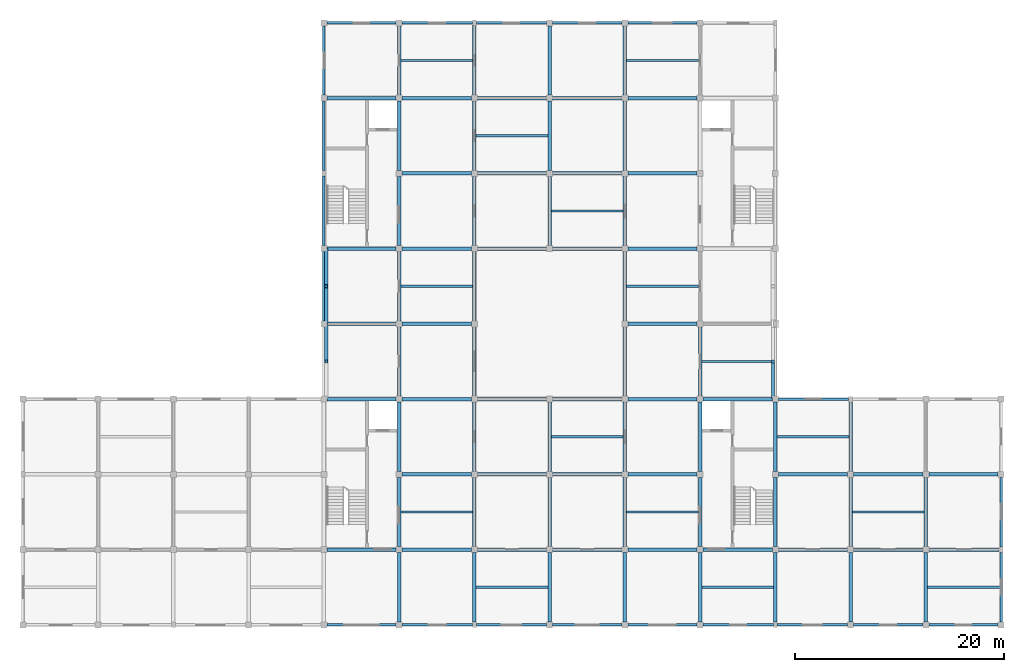
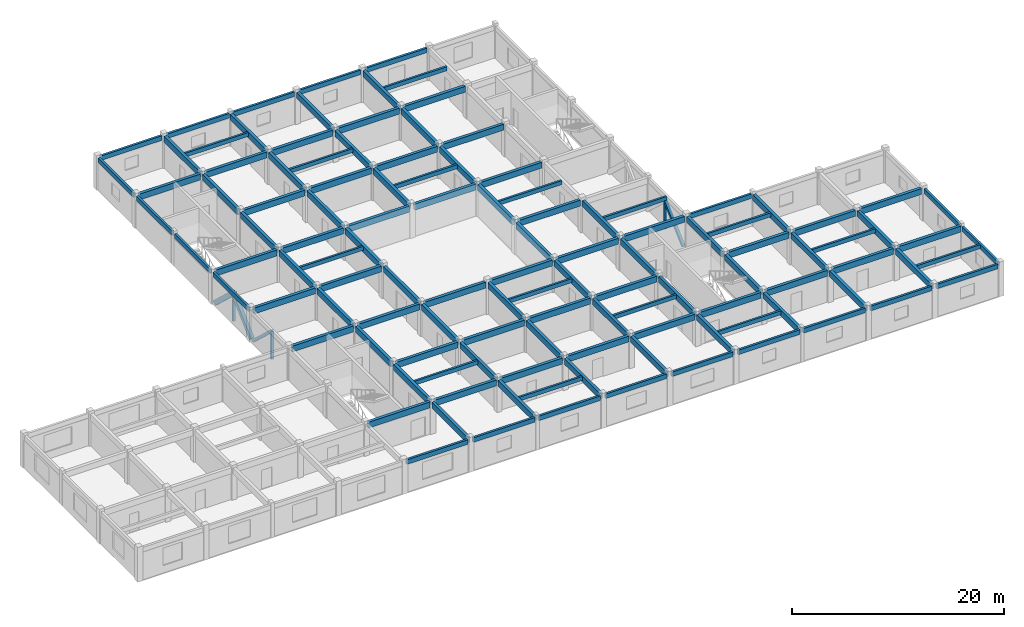
# One storey, part 2 of 10: 117 beams, 7 members.
"""IFC4 building model written with IfcOpenShell, lengths in metres."""

from ifc_helpers import new_model, si_unit, direction, frame, origin, origin_2d, place, context, subcontext, project, spatial, rectangle, extrude, material, material_profile, profile_set, type_object, element, save


model = new_model("IFC4")

# Units and contexts
model_context = context("Model", 3, precision=1e-05, world=origin(), true_north=direction((0.0, 1.0)))
body_context = subcontext(model_context, "Body", "Model", "MODEL_VIEW")
ifc_project = project(units=[si_unit("LENGTHUNIT", "METRE"), si_unit("AREAUNIT", "SQUARE_METRE"), si_unit("VOLUMEUNIT", "CUBIC_METRE"), si_unit("PLANEANGLEUNIT", "RADIAN"), si_unit("MASSUNIT", "GRAM", prefix="KILO")], contexts=[model_context])

# Site, building, storey
site_placement = place(None, origin())
site = spatial("IfcSite", under=ifc_project, at=site_placement, CompositionType="ELEMENT")
building_placement = place(site_placement, origin())
building = spatial("IfcBuilding", under=site, at=building_placement, Name="Cendaluz Park School", CompositionType="ELEMENT")
storey_placement = place(building_placement, frame((0.0, 0.0, 38.800048828125)))
storey = spatial("IfcBuildingStorey", under=building, at=storey_placement, Name="L09", CompositionType="ELEMENT", Elevation=38.800048828125)

# Beams
ifc_material_1 = material(Name="Glulam GL28h", Category="wood")
ifc_material_profile_1 = material_profile(ifc_material_1, rectangle(XDim=0.320068359375, YDim=0.679931640625, at=origin_2d()), Name="GL28h 320x680", Category="wood")
ifc_profile_set_1 = profile_set([ifc_material_profile_1], Name="Glulam GL28h")
beam_type_1 = type_object("IfcBeamType", Name="BM-GL01", PredefinedType="BEAM", material=ifc_profile_set_1)
for number, where, z_axis, x_axis, name in (
    (1, (65.080078125, 14.39990234375, 3.349853515625), (1.0, 0.0, 0.0), (0.0, 1.0, 0.0), "BM-L09-BMGL01-0018"),
    (2, (65.080078125, 28.800048828125, 3.349853515625), (1.0, 0.0, 0.0), (0.0, 1.0, 0.0), "BM-L09-BMGL01-0019"),
    (3, (65.080078125, 36.0, 3.349853515625), (1.0, 0.0, 0.0), (0.0, 1.0, 0.0), "BM-L09-BMGL01-0020"),
    (4, (65.080078125, 43.199951171875, 3.349853515625), (1.0, 0.0, 0.0), (0.0, 1.0, 0.0), "BM-L09-BMGL01-0021"),
    (5, (65.080078125, 57.60009765625, 3.349853515625), (1.0, 0.0, 0.0), (0.0, 1.0, 0.0), "BM-L09-BMGL01-0022"),
    (6, (72.280029296875, 14.39990234375, 3.349853515625), (1.0, 0.0, 0.0), (0.0, 1.0, 0.0), "BM-L09-BMGL01-0025"),
    (7, (72.280029296875, 21.60009765625, 3.349853515625), (1.0, 0.0, 0.0), (0.0, 1.0, 0.0), "BM-L09-BMGL01-0026"),
    (8, (72.280029296875, 28.800048828125, 3.349853515625), (1.0, 0.0, 0.0), (0.0, 1.0, 0.0), "BM-L09-BMGL01-0027"),
    (9, (72.280029296875, 36.0, 3.349853515625), (1.0, 0.0, 0.0), (0.0, 1.0, 0.0), "BM-L09-BMGL01-0028"),
    (10, (72.280029296875, 43.199951171875, 3.349853515625), (1.0, 0.0, 0.0), (0.0, 1.0, 0.0), "BM-L09-BMGL01-0029"),
    (11, (72.280029296875, 50.39990234375, 3.349853515625), (1.0, 0.0, 0.0), (0.0, 1.0, 0.0), "BM-L09-BMGL01-0030"),
    (12, (72.280029296875, 57.60009765625, 3.349853515625), (1.0, 0.0, 0.0), (0.0, 1.0, 0.0), "BM-L09-BMGL01-0031"),
):
    element("IfcBeam", number, at=place(storey_placement, frame(where, z_axis=z_axis, x_axis=x_axis)), inside=storey, type_object=beam_type_1, Name=name, PredefinedType="BEAM", context=body_context, shape_type="SweptSolid", body=[
        extrude(rectangle(XDim=0.320068359375, YDim=0.679931640625, at=origin_2d()), origin(), (0.0, 0.0, 1.0), 6.639892578125),
    ])
for number, where, z_axis, x_axis, name in (
    (13, (79.47998046875, 14.39990234375, 3.349853515625), (1.0, 0.0, 0.0), (0.0, 1.0, 0.0), "BM-L09-BMGL01-0034"),
    (14, (79.47998046875, 21.60009765625, 3.349853515625), (1.0, 0.0, 0.0), (0.0, 1.0, 0.0), "BM-L09-BMGL01-0035"),
    (15, (79.47998046875, 28.800048828125, 3.349853515625), (1.0, 0.0, 0.0), (0.0, 1.0, 0.0), "BM-L09-BMGL01-0036"),
    (16, (79.47998046875, 43.199951171875, 3.349853515625), (1.0, 0.0, 0.0), (0.0, 1.0, 0.0), "BM-L09-BMGL01-0037"),
    (17, (79.47998046875, 50.39990234375, 3.349853515625), (1.0, 0.0, 0.0), (0.0, 1.0, 0.0), "BM-L09-BMGL01-0038"),
    (18, (79.47998046875, 57.60009765625, 3.349853515625), (1.0, 0.0, 0.0), (0.0, 1.0, 0.0), "BM-L09-BMGL01-0039"),
    (19, (86.679931640625, 14.39990234375, 3.349853515625), (1.0, 0.0, 0.0), (0.0, 1.0, 0.0), "BM-L09-BMGL01-0042"),
    (20, (86.679931640625, 21.60009765625, 3.349853515625), (1.0, 0.0, 0.0), (0.0, 1.0, 0.0), "BM-L09-BMGL01-0043"),
    (21, (86.679931640625, 28.800048828125, 3.349853515625), (1.0, 0.0, 0.0), (0.0, 1.0, 0.0), "BM-L09-BMGL01-0044"),
    (22, (86.679931640625, 43.199951171875, 3.349853515625), (1.0, 0.0, 0.0), (0.0, 1.0, 0.0), "BM-L09-BMGL01-0045"),
    (23, (86.679931640625, 50.39990234375, 3.349853515625), (1.0, 0.0, 0.0), (0.0, 1.0, 0.0), "BM-L09-BMGL01-0046"),
    (24, (86.679931640625, 57.60009765625, 3.349853515625), (1.0, 0.0, 0.0), (0.0, 1.0, 0.0), "BM-L09-BMGL01-0047"),
    (25, (93.8798828125, 14.39990234375, 3.349853515625), (1.0, 0.0, 0.0), (0.0, 1.0, 0.0), "BM-L09-BMGL01-0050"),
    (26, (93.8798828125, 21.60009765625, 3.349853515625), (1.0, 0.0, 0.0), (0.0, 1.0, 0.0), "BM-L09-BMGL01-0051"),
    (27, (93.8798828125, 28.800048828125, 3.349853515625), (1.0, 0.0, 0.0), (0.0, 1.0, 0.0), "BM-L09-BMGL01-0052"),
    (28, (93.8798828125, 36.0, 3.349853515625), (1.0, 0.0, 0.0), (0.0, 1.0, 0.0), "BM-L09-BMGL01-0053"),
    (29, (93.8798828125, 43.199951171875, 3.349853515625), (1.0, 0.0, 0.0), (0.0, 1.0, 0.0), "BM-L09-BMGL01-0054"),
    (30, (93.8798828125, 50.39990234375, 3.349853515625), (1.0, 0.0, 0.0), (0.0, 1.0, 0.0), "BM-L09-BMGL01-0055"),
    (31, (93.8798828125, 57.60009765625, 3.349853515625), (1.0, 0.0, 0.0), (0.0, 1.0, 0.0), "BM-L09-BMGL01-0056"),
):
    element("IfcBeam", number, at=place(storey_placement, frame(where, z_axis=z_axis, x_axis=x_axis)), inside=storey, type_object=beam_type_1, Name=name, PredefinedType="BEAM", context=body_context, shape_type="SweptSolid", body=[
        extrude(rectangle(XDim=0.320068359375, YDim=0.679931640625, at=origin_2d()), origin(), (0.0, 0.0, 1.0), 6.64013671875),
    ])
for number, where, z_axis, x_axis, name in (
    (32, (101.080078125, 14.39990234375, 3.349853515625), (1.0, 0.0, 0.0), (0.0, 1.0, 0.0), "BM-L09-BMGL01-0059"),
    (33, (101.080078125, 28.800048828125, 3.349853515625), (1.0, 0.0, 0.0), (0.0, 1.0, 0.0), "BM-L09-BMGL01-0060"),
    (34, (108.280029296875, 14.39990234375, 3.349853515625), (1.0, 0.0, 0.0), (0.0, 1.0, 0.0), "BM-L09-BMGL01-0066"),
    (35, (108.280029296875, 21.60009765625, 3.349853515625), (1.0, 0.0, 0.0), (0.0, 1.0, 0.0), "BM-L09-BMGL01-0067"),
):
    element("IfcBeam", number, at=place(storey_placement, frame(where, z_axis=z_axis, x_axis=x_axis)), inside=storey, type_object=beam_type_1, Name=name, PredefinedType="BEAM", context=body_context, shape_type="SweptSolid", body=[
        extrude(rectangle(XDim=0.320068359375, YDim=0.679931640625, at=origin_2d()), origin(), (0.0, 0.0, 1.0), 6.639892578125),
    ])
for number, where, z_axis, x_axis, name in (
    (36, (115.47998046875, 14.39990234375, 3.349853515625), (1.0, 0.0, 0.0), (0.0, 1.0, 0.0), "BM-L09-BMGL01-0070"),
    (37, (115.47998046875, 21.60009765625, 3.349853515625), (1.0, 0.0, 0.0), (0.0, 1.0, 0.0), "BM-L09-BMGL01-0071"),
):
    element("IfcBeam", number, at=place(storey_placement, frame(where, z_axis=z_axis, x_axis=x_axis)), inside=storey, type_object=beam_type_1, Name=name, PredefinedType="BEAM", context=body_context, shape_type="SweptSolid", body=[
        extrude(rectangle(XDim=0.320068359375, YDim=0.679931640625, at=origin_2d()), origin(), (0.0, 0.0, 1.0), 6.64013671875),
    ])
beam_1_placement = place(storey_placement, frame((122.679931640625, 14.39990234375, 3.349853515625), z_axis=(1.0, 0.0, 0.0), x_axis=(0.0, 1.0, 0.0)))
element("IfcBeam", 38, at=beam_1_placement, inside=storey, type_object=beam_type_1, Name="BM-L09-BMGL01-0074", PredefinedType="BEAM", context=body_context, shape_type="SweptSolid", body=[
    extrude(rectangle(XDim=0.320068359375, YDim=0.679931640625, at=origin_2d()), origin(), (0.0, 0.0, 1.0), 6.739990234375),
])
for number, where, z_axis, x_axis, name in (
    (39, (122.679931640625, 21.60009765625, 3.349853515625), (1.0, 0.0, 0.0), (0.0, 1.0, 0.0), "BM-L09-BMGL01-0075"),
    (40, (72.0, 7.47998046875, 3.349853515625), (0.0, 1.0, 0.0), (-1.0, 0.0, 0.0), "BM-L09-BMGL01-0097"),
    (41, (72.0, 14.679931640625, 3.349853515625), (0.0, 1.0, 0.0), (-1.0, 0.0, 0.0), "BM-L09-BMGL01-0098"),
    (42, (72.0, 21.8798828125, 3.349853515625), (0.0, 1.0, 0.0), (-1.0, 0.0, 0.0), "BM-L09-BMGL01-0099"),
):
    element("IfcBeam", number, at=place(storey_placement, frame(where, z_axis=z_axis, x_axis=x_axis)), inside=storey, type_object=beam_type_1, Name=name, PredefinedType="BEAM", context=body_context, shape_type="SweptSolid", body=[
        extrude(rectangle(XDim=0.320068359375, YDim=0.679931640625, at=origin_2d()), origin(), (0.0, 0.0, 1.0), 6.64013671875),
    ])
for number, where, z_axis, x_axis, name in (
    (43, (72.0, 29.080078125, 3.349853515625), (0.0, 1.0, 0.0), (-1.0, 0.0, 0.0), "BM-L09-BMGL01-0100"),
    (44, (72.0, 36.280029296875, 3.349853515625), (0.0, 1.0, 0.0), (-1.0, 0.0, 0.0), "BM-L09-BMGL01-0101"),
):
    element("IfcBeam", number, at=place(storey_placement, frame(where, z_axis=z_axis, x_axis=x_axis)), inside=storey, type_object=beam_type_1, Name=name, PredefinedType="BEAM", context=body_context, shape_type="SweptSolid", body=[
        extrude(rectangle(XDim=0.320068359375, YDim=0.679931640625, at=origin_2d()), origin(), (0.0, 0.0, 1.0), 6.639892578125),
    ])
for number, where, z_axis, x_axis, name in (
    (45, (72.0, 43.47998046875, 3.349853515625), (0.0, 1.0, 0.0), (-1.0, 0.0, 0.0), "BM-L09-BMGL01-0102"),
    (46, (72.0, 50.679931640625, 3.349853515625), (0.0, 1.0, 0.0), (-1.0, 0.0, 0.0), "BM-L09-BMGL01-0103"),
    (47, (72.0, 57.8798828125, 3.349853515625), (0.0, 1.0, 0.0), (-1.0, 0.0, 0.0), "BM-L09-BMGL01-0104"),
):
    element("IfcBeam", number, at=place(storey_placement, frame(where, z_axis=z_axis, x_axis=x_axis)), inside=storey, type_object=beam_type_1, Name=name, PredefinedType="BEAM", context=body_context, shape_type="SweptSolid", body=[
        extrude(rectangle(XDim=0.320068359375, YDim=0.679931640625, at=origin_2d()), origin(), (0.0, 0.0, 1.0), 6.64013671875),
    ])
beam_2_placement = place(storey_placement, frame((79.199951171875, 7.4599609375, 3.349853515625), z_axis=(0.0, 1.0, 0.0), x_axis=(-1.0, 0.0, 0.0)))
element("IfcBeam", 48, at=beam_2_placement, inside=storey, type_object=beam_type_1, Name="BM-L09-BMGL01-0105", PredefinedType="BEAM", context=body_context, shape_type="SweptSolid", body=[
    extrude(rectangle(XDim=0.320068359375, YDim=0.679931640625, at=origin_2d()), origin(), (0.0, 0.0, 1.0), 6.66015625),
])
for number, where, z_axis, x_axis, name in (
    (49, (79.199951171875, 14.679931640625, 3.349853515625), (0.0, 1.0, 0.0), (-1.0, 0.0, 0.0), "BM-L09-BMGL01-0106"),
    (50, (79.199951171875, 21.8798828125, 3.349853515625), (0.0, 1.0, 0.0), (-1.0, 0.0, 0.0), "BM-L09-BMGL01-0107"),
):
    element("IfcBeam", number, at=place(storey_placement, frame(where, z_axis=z_axis, x_axis=x_axis)), inside=storey, type_object=beam_type_1, Name=name, PredefinedType="BEAM", context=body_context, shape_type="SweptSolid", body=[
        extrude(rectangle(XDim=0.320068359375, YDim=0.679931640625, at=origin_2d()), origin(), (0.0, 0.0, 1.0), 6.64013671875),
    ])
for number, where, z_axis, x_axis, name in (
    (51, (79.199951171875, 29.080078125, 3.349853515625), (0.0, 1.0, 0.0), (-1.0, 0.0, 0.0), "BM-L09-BMGL01-0108"),
    (52, (79.199951171875, 36.280029296875, 3.349853515625), (0.0, 1.0, 0.0), (-1.0, 0.0, 0.0), "BM-L09-BMGL01-0109"),
):
    element("IfcBeam", number, at=place(storey_placement, frame(where, z_axis=z_axis, x_axis=x_axis)), inside=storey, type_object=beam_type_1, Name=name, PredefinedType="BEAM", context=body_context, shape_type="SweptSolid", body=[
        extrude(rectangle(XDim=0.320068359375, YDim=0.679931640625, at=origin_2d()), origin(), (0.0, 0.0, 1.0), 6.639892578125),
    ])
for number, where, z_axis, x_axis, name in (
    (53, (79.199951171875, 43.47998046875, 3.349853515625), (0.0, 1.0, 0.0), (-1.0, 0.0, 0.0), "BM-L09-BMGL01-0110"),
    (54, (79.199951171875, 50.679931640625, 3.349853515625), (0.0, 1.0, 0.0), (-1.0, 0.0, 0.0), "BM-L09-BMGL01-0111"),
):
    element("IfcBeam", number, at=place(storey_placement, frame(where, z_axis=z_axis, x_axis=x_axis)), inside=storey, type_object=beam_type_1, Name=name, PredefinedType="BEAM", context=body_context, shape_type="SweptSolid", body=[
        extrude(rectangle(XDim=0.320068359375, YDim=0.679931640625, at=origin_2d()), origin(), (0.0, 0.0, 1.0), 6.64013671875),
    ])
beam_3_placement = place(storey_placement, frame((79.199951171875, 57.8798828125, 3.349853515625), z_axis=(0.0, 1.0, 0.0), x_axis=(-1.0, 0.0, 0.0)))
element("IfcBeam", 55, at=beam_3_placement, inside=storey, type_object=beam_type_1, Name="BM-L09-BMGL01-0112", PredefinedType="BEAM", context=body_context, shape_type="SweptSolid", body=[
    extrude(rectangle(XDim=0.320068359375, YDim=0.679931640625, at=origin_2d()), origin(), (0.0, 0.0, 1.0), 6.66015625),
])
for number, where, z_axis, x_axis, name in (
    (56, (86.39990234375, 7.47998046875, 3.349853515625), (0.0, 1.0, 0.0), (-1.0, 0.0, 0.0), "BM-L09-BMGL01-0113"),
    (57, (86.39990234375, 14.679931640625, 3.349853515625), (0.0, 1.0, 0.0), (-1.0, 0.0, 0.0), "BM-L09-BMGL01-0114"),
    (58, (86.39990234375, 21.8798828125, 3.349853515625), (0.0, 1.0, 0.0), (-1.0, 0.0, 0.0), "BM-L09-BMGL01-0115"),
    (59, (86.39990234375, 43.47998046875, 3.349853515625), (0.0, 1.0, 0.0), (-1.0, 0.0, 0.0), "BM-L09-BMGL01-0116"),
    (60, (86.39990234375, 50.679931640625, 3.349853515625), (0.0, 1.0, 0.0), (-1.0, 0.0, 0.0), "BM-L09-BMGL01-0117"),
    (61, (86.39990234375, 57.8798828125, 3.349853515625), (0.0, 1.0, 0.0), (-1.0, 0.0, 0.0), "BM-L09-BMGL01-0118"),
    (62, (93.60009765625, 7.47998046875, 3.349853515625), (0.0, 1.0, 0.0), (-1.0, 0.0, 0.0), "BM-L09-BMGL01-0119"),
    (63, (93.60009765625, 14.679931640625, 3.349853515625), (0.0, 1.0, 0.0), (-1.0, 0.0, 0.0), "BM-L09-BMGL01-0120"),
    (64, (93.60009765625, 21.8798828125, 3.349853515625), (0.0, 1.0, 0.0), (-1.0, 0.0, 0.0), "BM-L09-BMGL01-0121"),
):
    element("IfcBeam", number, at=place(storey_placement, frame(where, z_axis=z_axis, x_axis=x_axis)), inside=storey, type_object=beam_type_1, Name=name, PredefinedType="BEAM", context=body_context, shape_type="SweptSolid", body=[
        extrude(rectangle(XDim=0.320068359375, YDim=0.679931640625, at=origin_2d()), origin(), (0.0, 0.0, 1.0), 6.64013671875),
    ])
for number, where, z_axis, x_axis, name in (
    (65, (93.60009765625, 29.080078125, 3.349853515625), (0.0, 1.0, 0.0), (-1.0, 0.0, 0.0), "BM-L09-BMGL01-0122"),
    (66, (93.60009765625, 36.280029296875, 3.349853515625), (0.0, 1.0, 0.0), (-1.0, 0.0, 0.0), "BM-L09-BMGL01-0123"),
):
    element("IfcBeam", number, at=place(storey_placement, frame(where, z_axis=z_axis, x_axis=x_axis)), inside=storey, type_object=beam_type_1, Name=name, PredefinedType="BEAM", context=body_context, shape_type="SweptSolid", body=[
        extrude(rectangle(XDim=0.320068359375, YDim=0.679931640625, at=origin_2d()), origin(), (0.0, 0.0, 1.0), 6.639892578125),
    ])
for number, where, z_axis, x_axis, name in (
    (67, (93.60009765625, 43.47998046875, 3.349853515625), (0.0, 1.0, 0.0), (-1.0, 0.0, 0.0), "BM-L09-BMGL01-0124"),
    (68, (93.60009765625, 50.679931640625, 3.349853515625), (0.0, 1.0, 0.0), (-1.0, 0.0, 0.0), "BM-L09-BMGL01-0125"),
    (69, (93.60009765625, 57.8798828125, 3.349853515625), (0.0, 1.0, 0.0), (-1.0, 0.0, 0.0), "BM-L09-BMGL01-0126"),
    (70, (100.800048828125, 7.47998046875, 3.349853515625), (0.0, 1.0, 0.0), (-1.0, 0.0, 0.0), "BM-L09-BMGL01-0127"),
    (71, (100.800048828125, 14.679931640625, 3.349853515625), (0.0, 1.0, 0.0), (-1.0, 0.0, 0.0), "BM-L09-BMGL01-0128"),
    (72, (100.800048828125, 21.8798828125, 3.349853515625), (0.0, 1.0, 0.0), (-1.0, 0.0, 0.0), "BM-L09-BMGL01-0129"),
):
    element("IfcBeam", number, at=place(storey_placement, frame(where, z_axis=z_axis, x_axis=x_axis)), inside=storey, type_object=beam_type_1, Name=name, PredefinedType="BEAM", context=body_context, shape_type="SweptSolid", body=[
        extrude(rectangle(XDim=0.320068359375, YDim=0.679931640625, at=origin_2d()), origin(), (0.0, 0.0, 1.0), 6.64013671875),
    ])
beam_4_placement = place(storey_placement, frame((100.800048828125, 29.080078125, 3.349853515625), z_axis=(0.0, 1.0, 0.0), x_axis=(-1.0, 0.0, 0.0)))
element("IfcBeam", 73, at=beam_4_placement, inside=storey, type_object=beam_type_1, Name="BM-L09-BMGL01-0130", PredefinedType="BEAM", context=body_context, shape_type="SweptSolid", body=[
    extrude(rectangle(XDim=0.320068359375, YDim=0.679931640625, at=origin_2d()), origin(), (0.0, 0.0, 1.0), 6.639892578125),
])
beam_5_placement = place(storey_placement, frame((108.0, 7.4599609375, 3.349853515625), z_axis=(0.0, 1.0, 0.0), x_axis=(-1.0, 0.0, 0.0)))
element("IfcBeam", 74, at=beam_5_placement, inside=storey, type_object=beam_type_1, Name="BM-L09-BMGL01-0135", PredefinedType="BEAM", context=body_context, shape_type="SweptSolid", body=[
    extrude(rectangle(XDim=0.320068359375, YDim=0.679931640625, at=origin_2d()), origin(), (0.0, 0.0, 1.0), 6.66015625),
])
for number, where, z_axis, x_axis, name in (
    (75, (108.0, 14.679931640625, 3.349853515625), (0.0, 1.0, 0.0), (-1.0, 0.0, 0.0), "BM-L09-BMGL01-0136"),
    (76, (108.0, 21.8798828125, 3.349853515625), (0.0, 1.0, 0.0), (-1.0, 0.0, 0.0), "BM-L09-BMGL01-0137"),
    (77, (115.199951171875, 7.47998046875, 3.349853515625), (0.0, 1.0, 0.0), (-1.0, 0.0, 0.0), "BM-L09-BMGL01-0143"),
    (78, (115.199951171875, 14.679931640625, 3.349853515625), (0.0, 1.0, 0.0), (-1.0, 0.0, 0.0), "BM-L09-BMGL01-0144"),
):
    element("IfcBeam", number, at=place(storey_placement, frame(where, z_axis=z_axis, x_axis=x_axis)), inside=storey, type_object=beam_type_1, Name=name, PredefinedType="BEAM", context=body_context, shape_type="SweptSolid", body=[
        extrude(rectangle(XDim=0.320068359375, YDim=0.679931640625, at=origin_2d()), origin(), (0.0, 0.0, 1.0), 6.64013671875),
    ])
beam_6_placement = place(storey_placement, frame((115.199951171875, 21.8798828125, 3.349853515625), z_axis=(0.0, 1.0, 0.0), x_axis=(-1.0, 0.0, 0.0)))
element("IfcBeam", 79, at=beam_6_placement, inside=storey, type_object=beam_type_1, Name="BM-L09-BMGL01-0145", PredefinedType="BEAM", context=body_context, shape_type="SweptSolid", body=[
    extrude(rectangle(XDim=0.320068359375, YDim=0.679931640625, at=origin_2d()), origin(), (0.0, 0.0, 1.0), 6.66015625),
])
for number, where, z_axis, x_axis, name in (
    (80, (122.39990234375, 7.47998046875, 3.349853515625), (0.0, 1.0, 0.0), (-1.0, 0.0, 0.0), "BM-L09-BMGL01-0146"),
    (81, (122.39990234375, 14.679931640625, 3.349853515625), (0.0, 1.0, 0.0), (-1.0, 0.0, 0.0), "BM-L09-BMGL01-0147"),
):
    element("IfcBeam", number, at=place(storey_placement, frame(where, z_axis=z_axis, x_axis=x_axis)), inside=storey, type_object=beam_type_1, Name=name, PredefinedType="BEAM", context=body_context, shape_type="SweptSolid", body=[
        extrude(rectangle(XDim=0.320068359375, YDim=0.679931640625, at=origin_2d()), origin(), (0.0, 0.0, 1.0), 6.64013671875),
    ])
ifc_material_profile_2 = material_profile(ifc_material_1, rectangle(XDim=0.239990234375, YDim=0.52001953125, at=origin_2d()), Name="GL28h 240x520", Category="wood")
ifc_profile_set_2 = profile_set([ifc_material_profile_2], Name="Glulam GL28h")
beam_type_2 = type_object("IfcBeamType", Name="BM-GL03", PredefinedType="SPANDREL", material=ifc_profile_set_2)
for number, where, z_axis, x_axis, name in (
    (82, (65.080078125, 7.199951171875, 3.429931640625), (1.0, 0.0, 0.0), (0.0, 1.0, 0.0), "BM-L09-BMGL03-0017"),
    (83, (65.080078125, 64.800048828125, 3.429931640625), (1.0, 0.0, 0.0), (0.0, 1.0, 0.0), "BM-L09-BMGL03-0023"),
):
    element("IfcBeam", number, at=place(storey_placement, frame(where, z_axis=z_axis, x_axis=x_axis)), inside=storey, type_object=beam_type_2, Name=name, PredefinedType="SPANDREL", context=body_context, shape_type="SweptSolid", body=[
        extrude(rectangle(XDim=0.239990234375, YDim=0.52001953125, at=origin_2d()), origin(), (0.0, 0.0, 1.0), 6.639892578125),
    ])
for number, where, z_axis, x_axis, name in (
    (84, (72.280029296875, 7.199951171875, 3.429931640625), (1.0, 0.0, 0.0), (0.0, 1.0, 0.0), "BM-L09-BMGL03-0024"),
    (85, (72.280029296875, 64.800048828125, 3.429931640625), (1.0, 0.0, 0.0), (0.0, 1.0, 0.0), "BM-L09-BMGL03-0032"),
):
    element("IfcBeam", number, at=place(storey_placement, frame(where, z_axis=z_axis, x_axis=x_axis)), inside=storey, type_object=beam_type_2, Name=name, PredefinedType="SPANDREL", context=body_context, shape_type="SweptSolid", body=[
        extrude(rectangle(XDim=0.239990234375, YDim=0.52001953125, at=origin_2d()), origin(), (0.0, 0.0, 1.0), 6.739990234375),
    ])
for number, where, z_axis, x_axis, name in (
    (86, (79.3798828125, 7.199951171875, 3.429931640625), (1.0, 0.0, 0.0), (0.0, 1.0, 0.0), "BM-L09-BMGL03-0033"),
    (87, (79.3798828125, 64.800048828125, 3.429931640625), (1.0, 0.0, 0.0), (0.0, 1.0, 0.0), "BM-L09-BMGL03-0040"),
):
    element("IfcBeam", number, at=place(storey_placement, frame(where, z_axis=z_axis, x_axis=x_axis)), inside=storey, type_object=beam_type_2, Name=name, PredefinedType="SPANDREL", context=body_context, shape_type="SweptSolid", body=[
        extrude(rectangle(XDim=0.239990234375, YDim=0.52001953125, at=origin_2d()), origin(), (0.0, 0.0, 1.0), 6.740234375),
    ])
for number, where, z_axis, x_axis, name in (
    (88, (86.679931640625, 7.199951171875, 3.429931640625), (1.0, 0.0, 0.0), (0.0, 1.0, 0.0), "BM-L09-BMGL03-0041"),
    (89, (86.679931640625, 64.800048828125, 3.429931640625), (1.0, 0.0, 0.0), (0.0, 1.0, 0.0), "BM-L09-BMGL03-0048"),
    (90, (93.8798828125, 7.199951171875, 3.429931640625), (1.0, 0.0, 0.0), (0.0, 1.0, 0.0), "BM-L09-BMGL03-0049"),
    (91, (93.8798828125, 64.800048828125, 3.429931640625), (1.0, 0.0, 0.0), (0.0, 1.0, 0.0), "BM-L09-BMGL03-0057"),
):
    element("IfcBeam", number, at=place(storey_placement, frame(where, z_axis=z_axis, x_axis=x_axis)), inside=storey, type_object=beam_type_2, Name=name, PredefinedType="SPANDREL", context=body_context, shape_type="SweptSolid", body=[
        extrude(rectangle(XDim=0.239990234375, YDim=0.52001953125, at=origin_2d()), origin(), (0.0, 0.0, 1.0), 6.64013671875),
    ])
for number, where, z_axis, x_axis, name in (
    (92, (101.080078125, 7.199951171875, 3.429931640625), (1.0, 0.0, 0.0), (0.0, 1.0, 0.0), "BM-L09-BMGL03-0058"),
    (93, (108.179931640625, 7.199951171875, 3.429931640625), (1.0, 0.0, 0.0), (0.0, 1.0, 0.0), "BM-L09-BMGL03-0065"),
    (94, (108.280029296875, 28.800048828125, 3.429931640625), (1.0, 0.0, 0.0), (0.0, 1.0, 0.0), "BM-L09-BMGL03-0068"),
):
    element("IfcBeam", number, at=place(storey_placement, frame(where, z_axis=z_axis, x_axis=x_axis)), inside=storey, type_object=beam_type_2, Name=name, PredefinedType="SPANDREL", context=body_context, shape_type="SweptSolid", body=[
        extrude(rectangle(XDim=0.239990234375, YDim=0.52001953125, at=origin_2d()), origin(), (0.0, 0.0, 1.0), 6.739990234375),
    ])
for number, where, z_axis, x_axis, name in (
    (95, (115.47998046875, 7.199951171875, 3.429931640625), (1.0, 0.0, 0.0), (0.0, 1.0, 0.0), "BM-L09-BMGL03-0069"),
    (96, (122.679931640625, 7.199951171875, 3.429931640625), (1.0, 0.0, 0.0), (0.0, 1.0, 0.0), "BM-L09-BMGL03-0073"),
):
    element("IfcBeam", number, at=place(storey_placement, frame(where, z_axis=z_axis, x_axis=x_axis)), inside=storey, type_object=beam_type_2, Name=name, PredefinedType="SPANDREL", context=body_context, shape_type="SweptSolid", body=[
        extrude(rectangle(XDim=0.239990234375, YDim=0.52001953125, at=origin_2d()), origin(), (0.0, 0.0, 1.0), 6.64013671875),
    ])
beam_7_placement = place(storey_placement, frame((64.800048828125, 36.280029296875, 3.429931640625), z_axis=(0.0, 1.0, 0.0), x_axis=(-1.0, 0.0, 0.0)))
element("IfcBeam", 97, at=beam_7_placement, inside=storey, type_object=beam_type_2, Name="BM-L09-BMGL03-0093", PredefinedType="SPANDREL", context=body_context, shape_type="SweptSolid", body=[
    extrude(rectangle(XDim=0.239990234375, YDim=0.52001953125, at=origin_2d()), origin(), (0.0, 0.0, 1.0), 6.639892578125),
])
beam_8_placement = place(storey_placement, frame((64.800048828125, 43.47998046875, 3.429931640625), z_axis=(0.0, 1.0, 0.0), x_axis=(-1.0, 0.0, 0.0)))
element("IfcBeam", 98, at=beam_8_placement, inside=storey, type_object=beam_type_2, Name="BM-L09-BMGL03-0094", PredefinedType="SPANDREL", context=body_context, shape_type="SweptSolid", body=[
    extrude(rectangle(XDim=0.239990234375, YDim=0.52001953125, at=origin_2d()), origin(), (0.0, 0.0, 1.0), 6.659912109375),
])
beam_9_placement = place(storey_placement, frame((64.800048828125, 50.659912109375, 3.429931640625), z_axis=(0.0, 1.0, 0.0), x_axis=(-1.0, 0.0, 0.0)))
element("IfcBeam", 99, at=beam_9_placement, inside=storey, type_object=beam_type_2, Name="BM-L09-BMGL03-0095", PredefinedType="SPANDREL", context=body_context, shape_type="SweptSolid", body=[
    extrude(rectangle(XDim=0.239990234375, YDim=0.52001953125, at=origin_2d()), origin(), (0.0, 0.0, 1.0), 6.66015625),
])
beam_10_placement = place(storey_placement, frame((64.800048828125, 57.8798828125, 3.429931640625), z_axis=(0.0, 1.0, 0.0), x_axis=(-1.0, 0.0, 0.0)))
element("IfcBeam", 100, at=beam_10_placement, inside=storey, type_object=beam_type_2, Name="BM-L09-BMGL03-0096", PredefinedType="SPANDREL", context=body_context, shape_type="SweptSolid", body=[
    extrude(rectangle(XDim=0.239990234375, YDim=0.52001953125, at=origin_2d()), origin(), (0.0, 0.0, 1.0), 6.64013671875),
])
beam_11_placement = place(storey_placement, frame((129.60009765625, 7.47998046875, 3.429931640625), z_axis=(0.0, 1.0, 0.0), x_axis=(-1.0, 0.0, 0.0)))
element("IfcBeam", 101, at=beam_11_placement, inside=storey, type_object=beam_type_2, Name="BM-L09-BMGL03-0149", PredefinedType="SPANDREL", context=body_context, shape_type="SweptSolid", body=[
    extrude(rectangle(XDim=0.239990234375, YDim=0.52001953125, at=origin_2d()), origin(), (0.0, 0.0, 1.0), 6.659912109375),
])
beam_12_placement = place(storey_placement, frame((129.60009765625, 14.659912109375, 3.429931640625), z_axis=(0.0, 1.0, 0.0), x_axis=(-1.0, 0.0, 0.0)))
element("IfcBeam", 102, at=beam_12_placement, inside=storey, type_object=beam_type_2, Name="BM-L09-BMGL03-0150", PredefinedType="SPANDREL", context=body_context, shape_type="SweptSolid", body=[
    extrude(rectangle(XDim=0.239990234375, YDim=0.52001953125, at=origin_2d()), origin(), (0.0, 0.0, 1.0), 6.66015625),
])
ifc_material_profile_3 = material_profile(ifc_material_1, rectangle(XDim=0.219970703125, YDim=0.4599609375, at=origin_2d()), Name="GL28h 220x460", Category="wood")
ifc_profile_set_3 = profile_set([ifc_material_profile_3], Name="Glulam GL28h")
beam_type_3 = type_object("IfcBeamType", Name="JT-GL01", PredefinedType="JOIST", material=ifc_profile_set_3)
for number, where, z_axis, x_axis, name in (
    (103, (72.159912109375, 18.0, 3.4599609375), (1.0, 0.0, 0.0), (0.0, 1.0, 0.0), "BM-L09-JTGL01-0156"),
    (104, (72.159912109375, 39.60009765625, 3.4599609375), (1.0, 0.0, 0.0), (0.0, 1.0, 0.0), "BM-L09-JTGL01-0157"),
    (105, (72.159912109375, 61.199951171875, 3.4599609375), (1.0, 0.0, 0.0), (0.0, 1.0, 0.0), "BM-L09-JTGL01-0158"),
):
    element("IfcBeam", number, at=place(storey_placement, frame(where, z_axis=z_axis, x_axis=x_axis)), inside=storey, type_object=beam_type_3, Name=name, PredefinedType="JOIST", context=body_context, shape_type="SweptSolid", body=[
        extrude(rectangle(XDim=0.219970703125, YDim=0.4599609375, at=origin_2d()), origin(), (0.0, 0.0, 1.0), 6.880126953125),
    ])
for number, where, z_axis, x_axis, name in (
    (106, (79.360107421875, 10.800048828125, 3.4599609375), (1.0, 0.0, 0.0), (0.0, 1.0, 0.0), "BM-L09-JTGL01-0159"),
    (107, (79.360107421875, 54.0, 3.4599609375), (1.0, 0.0, 0.0), (0.0, 1.0, 0.0), "BM-L09-JTGL01-0160"),
    (108, (86.56005859375, 25.199951171875, 3.4599609375), (1.0, 0.0, 0.0), (0.0, 1.0, 0.0), "BM-L09-JTGL01-0161"),
    (109, (86.56005859375, 46.800048828125, 3.4599609375), (1.0, 0.0, 0.0), (0.0, 1.0, 0.0), "BM-L09-JTGL01-0162"),
    (110, (93.760009765625, 18.0, 3.4599609375), (1.0, 0.0, 0.0), (0.0, 1.0, 0.0), "BM-L09-JTGL01-0163"),
    (111, (93.760009765625, 39.60009765625, 3.4599609375), (1.0, 0.0, 0.0), (0.0, 1.0, 0.0), "BM-L09-JTGL01-0164"),
    (112, (93.760009765625, 61.199951171875, 3.4599609375), (1.0, 0.0, 0.0), (0.0, 1.0, 0.0), "BM-L09-JTGL01-0165"),
):
    element("IfcBeam", number, at=place(storey_placement, frame(where, z_axis=z_axis, x_axis=x_axis)), inside=storey, type_object=beam_type_3, Name=name, PredefinedType="JOIST", context=body_context, shape_type="SweptSolid", body=[
        extrude(rectangle(XDim=0.219970703125, YDim=0.4599609375, at=origin_2d()), origin(), (0.0, 0.0, 1.0), 6.8798828125),
    ])
beam_13_placement = place(storey_placement, frame((100.9599609375, 10.800048828125, 3.4599609375), z_axis=(1.0, 0.0, 0.0), x_axis=(0.0, 1.0, 0.0)))
element("IfcBeam", 113, at=beam_13_placement, inside=storey, type_object=beam_type_3, Name="BM-L09-JTGL01-0166", PredefinedType="JOIST", context=body_context, shape_type="SweptSolid", body=[
    extrude(rectangle(XDim=0.219970703125, YDim=0.4599609375, at=origin_2d()), origin(), (0.0, 0.0, 1.0), 6.880126953125),
])
beam_14_placement = place(storey_placement, frame((100.9599609375, 32.39990234375, 3.4599609375), z_axis=(1.0, 0.0, 0.0), x_axis=(0.0, 1.0, 0.0)))
element("IfcBeam", 114, at=beam_14_placement, inside=storey, type_object=beam_type_3, Name="BM-L09-JTGL01-0167", PredefinedType="JOIST", context=body_context, shape_type="SweptSolid", body=[
    extrude(rectangle(XDim=0.219970703125, YDim=0.4599609375, at=origin_2d()), origin(), (0.0, 0.0, 1.0), 6.919921875),
])
beam_15_placement = place(storey_placement, frame((108.159912109375, 25.199951171875, 3.4599609375), z_axis=(1.0, 0.0, 0.0), x_axis=(0.0, 1.0, 0.0)))
element("IfcBeam", 115, at=beam_15_placement, inside=storey, type_object=beam_type_3, Name="BM-L09-JTGL01-0168", PredefinedType="JOIST", context=body_context, shape_type="SweptSolid", body=[
    extrude(rectangle(XDim=0.219970703125, YDim=0.4599609375, at=origin_2d()), origin(), (0.0, 0.0, 1.0), 6.880126953125),
])
beam_16_placement = place(storey_placement, frame((115.360107421875, 18.0, 3.4599609375), z_axis=(1.0, 0.0, 0.0), x_axis=(0.0, 1.0, 0.0)))
element("IfcBeam", 116, at=beam_16_placement, inside=storey, type_object=beam_type_3, Name="BM-L09-JTGL01-0169", PredefinedType="JOIST", context=body_context, shape_type="SweptSolid", body=[
    extrude(rectangle(XDim=0.219970703125, YDim=0.4599609375, at=origin_2d()), origin(), (0.0, 0.0, 1.0), 6.8798828125),
])
beam_17_placement = place(storey_placement, frame((122.56005859375, 10.800048828125, 3.4599609375), z_axis=(1.0, 0.0, 0.0), x_axis=(0.0, 1.0, 0.0)))
element("IfcBeam", 117, at=beam_17_placement, inside=storey, type_object=beam_type_3, Name="BM-L09-JTGL01-0170", PredefinedType="JOIST", context=body_context, shape_type="SweptSolid", body=[
    extrude(rectangle(XDim=0.219970703125, YDim=0.4599609375, at=origin_2d()), origin(), (0.0, 0.0, 1.0), 6.919921875),
])

# Members
ifc_material_2 = material(Name="Glulam GL32h", Category="wood")
ifc_material_profile_4 = material_profile(ifc_material_2, rectangle(XDim=0.300048828125, YDim=0.300048828125, at=origin_2d()), Name="GL32h 300x300", Category="wood")
ifc_profile_set_4 = profile_set([ifc_material_profile_4], Name="Glulam GL32h")
member_type_1 = type_object("IfcMemberType", Name="MBR-03", PredefinedType="BRACE", material=ifc_profile_set_4)
member_1_placement = place(storey_placement, frame((65.02001953125, 35.820068359375, 0.0), z_axis=(0.0, -0.731291309336, 0.682065261459), x_axis=(1.0, 0.0, 0.0)))
element("IfcMember", 118, at=member_1_placement, inside=storey, type_object=member_type_1, Name="MB-L09-MBBR03-0002", PredefinedType="BRACE", context=body_context, shape_type="SweptSolid", body=[
    extrude(rectangle(XDim=0.300048828125, YDim=0.300048828125, at=origin_2d()), origin(), (0.0, 0.0, 1.0), 4.677001953125),
])
member_2_placement = place(storey_placement, frame((107.780029296875, 28.97998046875, 0.0), z_axis=(0.0, 0.731267023111, 0.682091299541), x_axis=(-1.0, 0.0, 0.0)))
element("IfcMember", 119, at=member_2_placement, inside=storey, type_object=member_type_1, Name="MB-L09-MBBR03-0004", PredefinedType="BRACE", context=body_context, shape_type="SweptSolid", body=[
    extrude(rectangle(XDim=0.300048828125, YDim=0.300048828125, at=origin_2d()), origin(), (0.0, 0.0, 1.0), 4.6767578125),
])
ifc_material_profile_5 = material_profile(ifc_material_2, rectangle(XDim=0.360107421875, YDim=0.52001953125, at=origin_2d()), Name="GL32h 360x520", Category="wood")
ifc_profile_set_5 = profile_set([ifc_material_profile_5], Name="Glulam GL32h")
member_type_2 = type_object("IfcMemberType", Name="MBR-04", PredefinedType="BRACE", material=ifc_profile_set_5)
member_3_placement = place(storey_placement, frame((65.02001953125, 36.179931640625, 0.0), z_axis=(0.0, 0.731291309336, 0.682065261459), x_axis=(-1.0, 0.0, 0.0)))
element("IfcMember", 120, at=member_3_placement, inside=storey, type_object=member_type_2, Name="MB-L09-MBBR04-0007", PredefinedType="BRACE", context=body_context, shape_type="SweptSolid", body=[
    extrude(rectangle(XDim=0.360107421875, YDim=0.52001953125, at=origin_2d()), origin(), (0.0, 0.0, 1.0), 4.677001953125),
])
member_4_placement = place(storey_placement, frame((65.02001953125, 43.02001953125, 0.0), z_axis=(0.0, -0.731267023111, 0.682091299541), x_axis=(1.0, 0.0, 0.0)))
element("IfcMember", 121, at=member_4_placement, inside=storey, type_object=member_type_2, Name="MB-L09-MBBR04-0008", PredefinedType="BRACE", context=body_context, shape_type="SweptSolid", body=[
    extrude(rectangle(XDim=0.360107421875, YDim=0.52001953125, at=origin_2d()), origin(), (0.0, 0.0, 1.0), 4.6767578125),
])
ifc_material_profile_6 = material_profile(ifc_material_2, rectangle(XDim=0.260009765625, YDim=0.260009765625, at=origin_2d()), Name="GL32h 260x260", Category="wood")
ifc_profile_set_6 = profile_set([ifc_material_profile_6], Name="Glulam GL32h")
member_type_3 = type_object("IfcMemberType", Name="MST-03", PredefinedType="STRUT", material=ifc_profile_set_6)
for number, where, z_axis, x_axis, name in (
    (122, (65.02001953125, 32.39990234375, 0.0), (0.0, 0.0, 1.0), (1.0, 0.0, 0.0), "MB-L09-MBST03-0003"),
    (123, (107.780029296875, 32.39990234375, 0.0), (0.0, 0.0, 1.0), (1.0, 0.0, 0.0), "MB-L09-MBST03-0006"),
    (124, (65.02001953125, 39.60009765625, 0.0), (0.0, 0.0, 1.0), (1.0, 0.0, 0.0), "MB-L09-MBST03-0009"),
):
    element("IfcMember", number, at=place(storey_placement, frame(where, z_axis=z_axis, x_axis=x_axis)), inside=storey, type_object=member_type_3, Name=name, PredefinedType="STRUT", context=body_context, shape_type="SweptSolid", body=[
        extrude(rectangle(XDim=0.260009765625, YDim=0.260009765625, at=origin_2d()), origin(), (0.0, 0.0, 1.0), 3.18994140625),
    ])

save(model, "model.ifc")
